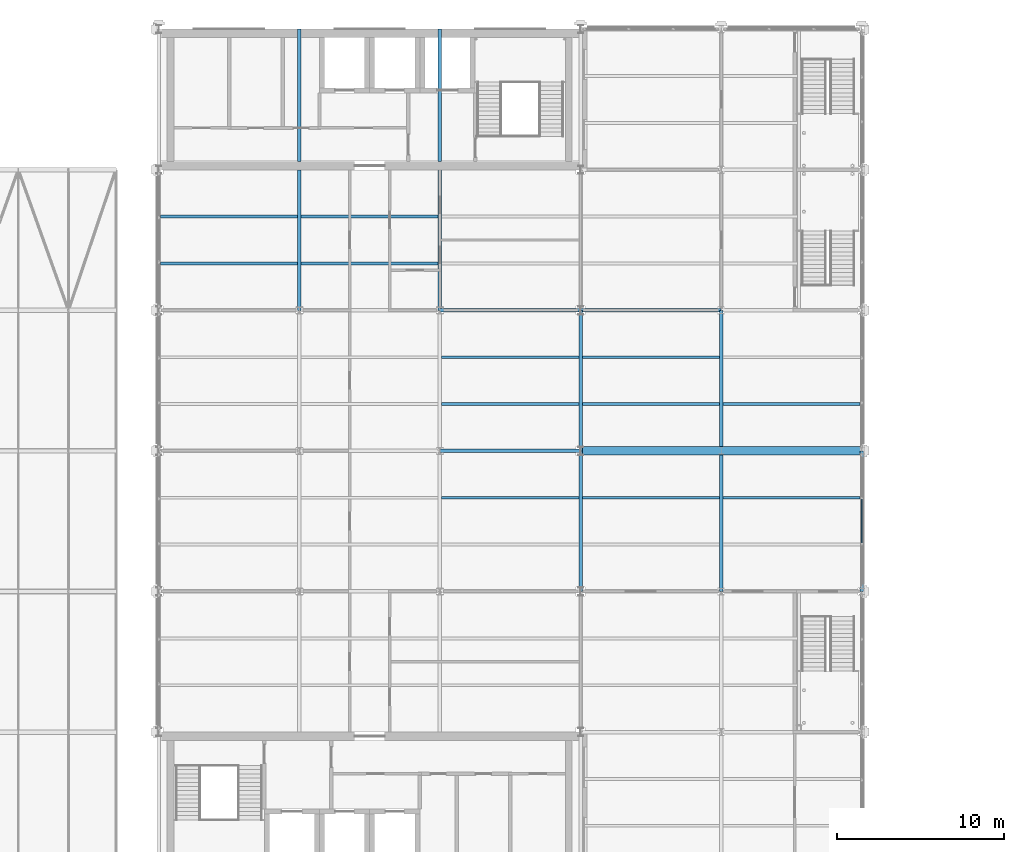
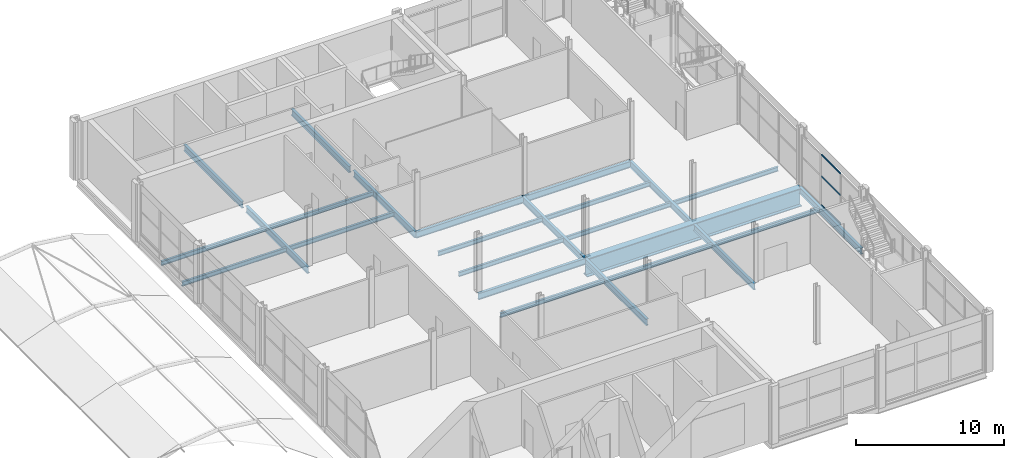
# One storey, part 127 of 167: 25 beams, 3 members, 1 element without a shape of its own.
"""IFC4 building model written with IfcOpenShell, lengths in metres."""

from ifc_helpers import new_model, si_unit, direction, frame, origin, origin_2d, place, context, subcontext, project, spatial, hollow_rectangle, i_section, extrude, material, material_profile, profile_set, type_object, element, aggregate, save


model = new_model("IFC4")

# Units and contexts
model_context = context("Model", 3, precision=1e-05, world=origin(), true_north=direction((0.0, 1.0)))
body_context = subcontext(model_context, "Body", "Model", "MODEL_VIEW")
ifc_project = project(units=[si_unit("LENGTHUNIT", "METRE"), si_unit("AREAUNIT", "SQUARE_METRE"), si_unit("VOLUMEUNIT", "CUBIC_METRE"), si_unit("PLANEANGLEUNIT", "RADIAN"), si_unit("MASSUNIT", "GRAM", prefix="KILO")], contexts=[model_context])

# Site, building, storey
site_placement = place(None, origin())
site = spatial("IfcSite", under=ifc_project, at=site_placement, CompositionType="ELEMENT")
building_placement = place(site_placement, origin())
building = spatial("IfcBuilding", under=site, at=building_placement, Name="Catenary Quay Ferry Terminal", CompositionType="ELEMENT")
storey_placement = place(building_placement, frame((0.0, 0.0, 6.0)))
storey = spatial("IfcBuildingStorey", under=building, at=storey_placement, Name="L01", CompositionType="ELEMENT", Elevation=6.0)

# Beams
ifc_material_1 = material(Name="Steel S355", Category="steel")
ifc_material_profile_1 = material_profile(ifc_material_1, i_section(OverallWidth=0.208740234375, OverallDepth=0.5283203125, WebThickness=0.009521484375, FlangeThickness=0.01318359375, at=origin_2d()), Name="UB 533x210x82")
ifc_profile_set_1 = profile_set([ifc_material_profile_1], Name="Steel S355")
beam_type_1 = type_object("IfcBeamType", Name="B5 UB 533x210x82", PredefinedType="BEAM", material=ifc_profile_set_1)
for number, where, z_axis, x_axis, name in (
    (1, (42.0, 184.800048828125, -0.464111328125), (1.0, 0.0, 0.0), (0.0, 1.0, 0.0), "Beam B5-012"),
    (2, (42.0, 193.199951171875, -0.464111328125), (1.0, 0.0, 0.0), (0.0, 1.0, 0.0), "Beam B5-015"),
):
    element("IfcBeam", number, at=place(storey_placement, frame(where, z_axis=z_axis, x_axis=x_axis)), inside=storey, type_object=beam_type_1, Name=name, PredefinedType="BEAM", context=body_context, shape_type="SweptSolid", body=[
        extrude(i_section(OverallWidth=0.208740234375, OverallDepth=0.5283203125, WebThickness=0.009521484375, FlangeThickness=0.01318359375, at=origin_2d()), origin(), (0.0, 0.0, 1.0), 8.39990234375),
    ])
for number, where, z_axis, x_axis, name in (
    (3, (50.39990234375, 193.199951171875, -0.464111328125), (1.0, 0.0, 0.0), (0.0, 1.0, 0.0), "Beam B5-016"),
    (4, (33.60009765625, 193.199951171875, -0.464111328125), (0.0, 1.0, 0.0), (-1.0, 0.0, 0.0), "Beam B5-031"),
):
    element("IfcBeam", number, at=place(storey_placement, frame(where, z_axis=z_axis, x_axis=x_axis)), inside=storey, type_object=beam_type_1, Name=name, PredefinedType="BEAM", context=body_context, shape_type="SweptSolid", body=[
        extrude(i_section(OverallWidth=0.208740234375, OverallDepth=0.5283203125, WebThickness=0.009521484375, FlangeThickness=0.01318359375, at=origin_2d()), origin(), (0.0, 0.0, 1.0), 8.400146484375),
    ])
beam_1_placement = place(storey_placement, frame((33.60009765625, 202.10009765625, -0.464111328125), z_axis=(0.0, 1.0, 0.0), x_axis=(-1.0, 0.0, 0.0)))
element("IfcBeam", 5, at=beam_1_placement, inside=storey, type_object=beam_type_1, Name="Beam B5-032", PredefinedType="BEAM", context=body_context, shape_type="SweptSolid", body=[
    extrude(i_section(OverallWidth=0.208740234375, OverallDepth=0.5283203125, WebThickness=0.009521484375, FlangeThickness=0.01318359375, at=origin_2d()), origin(), (0.0, 0.0, 1.0), 7.89990234375),
])
beam_2_placement = place(storey_placement, frame((42.0, 193.199951171875, -0.464111328125), z_axis=(0.0, 1.0, 0.0), x_axis=(-1.0, 0.0, 0.0)))
element("IfcBeam", 6, at=beam_2_placement, inside=storey, type_object=beam_type_1, Name="Beam B5-036", PredefinedType="BEAM", context=body_context, shape_type="SweptSolid", body=[
    extrude(i_section(OverallWidth=0.208740234375, OverallDepth=0.5283203125, WebThickness=0.009521484375, FlangeThickness=0.01318359375, at=origin_2d()), origin(), (0.0, 0.0, 1.0), 8.400146484375),
])
beam_3_placement = place(storey_placement, frame((42.0, 202.10009765625, -0.464111328125), z_axis=(0.0, 1.0, 0.0), x_axis=(-1.0, 0.0, 0.0)))
element("IfcBeam", 7, at=beam_3_placement, inside=storey, type_object=beam_type_1, Name="Beam B5-037", PredefinedType="BEAM", context=body_context, shape_type="SweptSolid", body=[
    extrude(i_section(OverallWidth=0.208740234375, OverallDepth=0.5283203125, WebThickness=0.009521484375, FlangeThickness=0.01318359375, at=origin_2d()), origin(), (0.0, 0.0, 1.0), 7.89990234375),
])
beam_4_placement = place(storey_placement, frame((50.39990234375, 176.39990234375, -0.464111328125), z_axis=(0.0, 1.0, 0.0), x_axis=(-1.0, 0.0, 0.0)))
element("IfcBeam", 8, at=beam_4_placement, inside=storey, type_object=beam_type_1, Name="Beam B5-040", PredefinedType="BEAM", context=body_context, shape_type="SweptSolid", body=[
    extrude(i_section(OverallWidth=0.208740234375, OverallDepth=0.5283203125, WebThickness=0.009521484375, FlangeThickness=0.01318359375, at=origin_2d()), origin(), (0.0, 0.0, 1.0), 8.400146484375),
])
beam_5_placement = place(storey_placement, frame((50.39990234375, 184.800048828125, -0.464111328125), z_axis=(0.0, 1.0, 0.0), x_axis=(-1.0, 0.0, 0.0)))
element("IfcBeam", 9, at=beam_5_placement, inside=storey, type_object=beam_type_1, Name="Beam B5-041", PredefinedType="BEAM", context=body_context, shape_type="SweptSolid", body=[
    extrude(i_section(OverallWidth=0.208740234375, OverallDepth=0.5283203125, WebThickness=0.009521484375, FlangeThickness=0.01318359375, at=origin_2d()), origin(), (0.0, 0.0, 1.0), 8.39990234375),
])
beam_6_placement = place(storey_placement, frame((58.800048828125, 176.39990234375, -0.464111328125), z_axis=(0.0, 1.0, 0.0), x_axis=(-1.0, 0.0, 0.0)))
element("IfcBeam", 10, at=beam_6_placement, inside=storey, type_object=beam_type_1, Name="Beam B5-046", PredefinedType="BEAM", context=body_context, shape_type="SweptSolid", body=[
    extrude(i_section(OverallWidth=0.208740234375, OverallDepth=0.5283203125, WebThickness=0.009521484375, FlangeThickness=0.01318359375, at=origin_2d()), origin(), (0.0, 0.0, 1.0), 8.150146484375),
])
beam_7_placement = place(storey_placement, frame((58.800048828125, 185.050048828125, -0.464111328125), z_axis=(0.0, 1.0, 0.0), x_axis=(-1.0, 0.0, 0.0)))
element("IfcBeam", 11, at=beam_7_placement, inside=storey, type_object=beam_type_1, Name="Beam B5-047", PredefinedType="BEAM", context=body_context, shape_type="SweptSolid", body=[
    extrude(i_section(OverallWidth=0.208740234375, OverallDepth=0.5283203125, WebThickness=0.009521484375, FlangeThickness=0.01318359375, at=origin_2d()), origin(), (0.0, 0.0, 1.0), 8.14990234375),
])
beam_8_placement = place(storey_placement, frame((67.199951171875, 176.39990234375, -0.464111328125), z_axis=(0.0, 1.0, 0.0), x_axis=(-1.0, 0.0, 0.0)))
element("IfcBeam", 12, at=beam_8_placement, inside=storey, type_object=beam_type_1, Name="Beam B5-052", PredefinedType="BEAM", context=body_context, shape_type="SweptSolid", body=[
    extrude(i_section(OverallWidth=0.208740234375, OverallDepth=0.5283203125, WebThickness=0.009521484375, FlangeThickness=0.01318359375, at=origin_2d()), origin(), (0.0, 0.0, 1.0), 8.400146484375),
])
ifc_material_2 = material(Name="Steel S355", Category="steel")
ifc_material_profile_2 = material_profile(ifc_material_2, i_section(OverallWidth=0.169921875, OverallDepth=0.360107421875, WebThickness=0.008056640625, FlangeThickness=0.0126953125, at=origin_2d()), Name="IPE 360")
ifc_profile_set_2 = profile_set([ifc_material_profile_2], Name="Steel S355")
beam_type_2 = type_object("IfcBeamType", Name="B7 IPE 360", PredefinedType="BEAM", material=ifc_profile_set_2)
beam_9_placement = place(storey_placement, frame((42.10400390625, 182.0, -0.3798828125), z_axis=(1.0, 0.0, 0.0), x_axis=(0.0, 1.0, 0.0)))
element("IfcBeam", 13, at=beam_9_placement, inside=storey, type_object=beam_type_2, Name="Beam B7-046", PredefinedType="BEAM", context=body_context, shape_type="SweptSolid", body=[
    extrude(i_section(OverallWidth=0.169921875, OverallDepth=0.360107421875, WebThickness=0.008056640625, FlangeThickness=0.0126953125, at=origin_2d()), origin(), (0.0, 0.0, 1.0), 8.19189453125),
])
beam_10_placement = place(storey_placement, frame((50.50390625, 182.0, -0.3798828125), z_axis=(1.0, 0.0, 0.0), x_axis=(0.0, 1.0, 0.0)))
element("IfcBeam", 14, at=beam_10_placement, inside=storey, type_object=beam_type_2, Name="Beam B7-047", PredefinedType="BEAM", context=body_context, shape_type="SweptSolid", body=[
    extrude(i_section(OverallWidth=0.169921875, OverallDepth=0.360107421875, WebThickness=0.008056640625, FlangeThickness=0.0126953125, at=origin_2d()), origin(), (0.0, 0.0, 1.0), 8.192138671875),
])
for number, where, z_axis, x_axis, name in (
    (15, (58.904052734375, 182.0, -0.3798828125), (1.0, 0.0, 0.0), (0.0, 1.0, 0.0), "Beam B7-048"),
    (16, (42.10400390625, 187.60009765625, -0.3798828125), (1.0, 0.0, 0.0), (0.0, 1.0, 0.0), "Beam B7-051"),
):
    element("IfcBeam", number, at=place(storey_placement, frame(where, z_axis=z_axis, x_axis=x_axis)), inside=storey, type_object=beam_type_2, Name=name, PredefinedType="BEAM", context=body_context, shape_type="SweptSolid", body=[
        extrude(i_section(OverallWidth=0.169921875, OverallDepth=0.360107421875, WebThickness=0.008056640625, FlangeThickness=0.0126953125, at=origin_2d()), origin(), (0.0, 0.0, 1.0), 8.19189453125),
    ])
beam_11_placement = place(storey_placement, frame((50.50390625, 187.60009765625, -0.3798828125), z_axis=(1.0, 0.0, 0.0), x_axis=(0.0, 1.0, 0.0)))
element("IfcBeam", 17, at=beam_11_placement, inside=storey, type_object=beam_type_2, Name="Beam B7-052", PredefinedType="BEAM", context=body_context, shape_type="SweptSolid", body=[
    extrude(i_section(OverallWidth=0.169921875, OverallDepth=0.360107421875, WebThickness=0.008056640625, FlangeThickness=0.0126953125, at=origin_2d()), origin(), (0.0, 0.0, 1.0), 8.192138671875),
])
for number, where, z_axis, x_axis, name in (
    (18, (58.904052734375, 187.60009765625, -0.3798828125), (1.0, 0.0, 0.0), (0.0, 1.0, 0.0), "Beam B7-053"),
    (19, (42.10400390625, 190.39990234375, -0.3798828125), (1.0, 0.0, 0.0), (0.0, 1.0, 0.0), "Beam B7-056"),
):
    element("IfcBeam", number, at=place(storey_placement, frame(where, z_axis=z_axis, x_axis=x_axis)), inside=storey, type_object=beam_type_2, Name=name, PredefinedType="BEAM", context=body_context, shape_type="SweptSolid", body=[
        extrude(i_section(OverallWidth=0.169921875, OverallDepth=0.360107421875, WebThickness=0.008056640625, FlangeThickness=0.0126953125, at=origin_2d()), origin(), (0.0, 0.0, 1.0), 8.19189453125),
    ])
for number, where, z_axis, x_axis, name in (
    (20, (50.50390625, 190.39990234375, -0.3798828125), (1.0, 0.0, 0.0), (0.0, 1.0, 0.0), "Beam B7-057"),
    (21, (25.303955078125, 196.0, -0.3798828125), (1.0, 0.0, 0.0), (0.0, 1.0, 0.0), "Beam B7-059"),
):
    element("IfcBeam", number, at=place(storey_placement, frame(where, z_axis=z_axis, x_axis=x_axis)), inside=storey, type_object=beam_type_2, Name=name, PredefinedType="BEAM", context=body_context, shape_type="SweptSolid", body=[
        extrude(i_section(OverallWidth=0.169921875, OverallDepth=0.360107421875, WebThickness=0.008056640625, FlangeThickness=0.0126953125, at=origin_2d()), origin(), (0.0, 0.0, 1.0), 8.192138671875),
    ])
beam_12_placement = place(storey_placement, frame((33.7041015625, 196.0, -0.3798828125), z_axis=(1.0, 0.0, 0.0), x_axis=(0.0, 1.0, 0.0)))
element("IfcBeam", 22, at=beam_12_placement, inside=storey, type_object=beam_type_2, Name="Beam B7-060", PredefinedType="BEAM", context=body_context, shape_type="SweptSolid", body=[
    extrude(i_section(OverallWidth=0.169921875, OverallDepth=0.360107421875, WebThickness=0.008056640625, FlangeThickness=0.0126953125, at=origin_2d()), origin(), (0.0, 0.0, 1.0), 8.19189453125),
])
beam_13_placement = place(storey_placement, frame((25.303955078125, 198.800048828125, -0.3798828125), z_axis=(1.0, 0.0, 0.0), x_axis=(0.0, 1.0, 0.0)))
element("IfcBeam", 23, at=beam_13_placement, inside=storey, type_object=beam_type_2, Name="Beam B7-064", PredefinedType="BEAM", context=body_context, shape_type="SweptSolid", body=[
    extrude(i_section(OverallWidth=0.169921875, OverallDepth=0.360107421875, WebThickness=0.008056640625, FlangeThickness=0.0126953125, at=origin_2d()), origin(), (0.0, 0.0, 1.0), 8.192138671875),
])
beam_14_placement = place(storey_placement, frame((33.7041015625, 198.800048828125, -0.3798828125), z_axis=(1.0, 0.0, 0.0), x_axis=(0.0, 1.0, 0.0)))
element("IfcBeam", 24, at=beam_14_placement, inside=storey, type_object=beam_type_2, Name="Beam B7-065", PredefinedType="BEAM", context=body_context, shape_type="SweptSolid", body=[
    extrude(i_section(OverallWidth=0.169921875, OverallDepth=0.360107421875, WebThickness=0.008056640625, FlangeThickness=0.0126953125, at=origin_2d()), origin(), (0.0, 0.0, 1.0), 8.19189453125),
])
ifc_material_3 = material(Name="Steel S355", Category="steel")
ifc_material_profile_3 = material_profile(ifc_material_3, i_section(OverallWidth=0.5, OverallDepth=1.5, WebThickness=0.030029296875, FlangeThickness=0.06005859375, at=origin_2d()), Name="PG 1500x500x30x60")
ifc_profile_set_3 = profile_set([ifc_material_profile_3], Name="Steel S355")
beam_type_3 = type_object("IfcBeamType", Name="B8 PG 1500x500x30x60", PredefinedType="BEAM", material=ifc_profile_set_3)
beam_15_placement = place(storey_placement, frame((50.39990234375, 184.800048828125, -0.949951171875), z_axis=(1.0, 0.0, 0.0), x_axis=(0.0, 1.0, 0.0)))
element("IfcBeam", 25, at=beam_15_placement, inside=storey, type_object=beam_type_3, Name="Beam TG1-001", PredefinedType="BEAM", context=body_context, shape_type="SweptSolid", body=[
    extrude(i_section(OverallWidth=0.5, OverallDepth=1.5, WebThickness=0.030029296875, FlangeThickness=0.06005859375, at=origin_2d()), origin(), (0.0, 0.0, 1.0), 16.800048828125),
])

# Curtain wall, members
ifc_material_4 = material(Name="Aluminium and glass", Category="aluminium")
curtain_wall_type = type_object("IfcCurtainWallType", Name="CWW2", PredefinedType="NOTDEFINED", material=ifc_material_4)
curtain_wall_placement = place(storey_placement, origin())
curtain_wall = element("IfcCurtainWall", 26, at=curtain_wall_placement, inside=storey, type_object=curtain_wall_type, Name="Wing curtain wall CW118", PredefinedType="NOTDEFINED")
ifc_material_5 = material(Name="Aluminium", Category="aluminium")
ifc_material_profile_4 = material_profile(ifc_material_5, hollow_rectangle(XDim=0.06005859375, YDim=0.1201171875, WallThickness=0.0048828125, at=origin_2d()), Name="TR3")
ifc_profile_set_4 = profile_set([ifc_material_profile_4], Name="Aluminium")
member_type = type_object("IfcMemberType", Name="TR3", PredefinedType="USERDEFINED", material=ifc_profile_set_4)
member_1_placement = place(storey_placement, frame((67.199951171875, 179.3017578125, 0.030029296875), z_axis=(0.0, 1.0, 0.0), x_axis=(-1.0, 0.0, 0.0)))
member_1 = element("IfcMember", 27, at=member_1_placement, type_object=member_type, Name="CW118 transom 2.1", ObjectType="TRANSOM", PredefinedType="USERDEFINED", context=body_context, shape_type="SweptSolid", body=[
    extrude(hollow_rectangle(XDim=0.06005859375, YDim=0.1201171875, WallThickness=0.0048828125, at=origin_2d()), origin(), (0.0, 0.0, 1.0), 2.5966796875),
])
member_2_placement = place(storey_placement, frame((67.199951171875, 179.3017578125, 2.39990234375), z_axis=(0.0, 1.0, 0.0), x_axis=(-1.0, 0.0, 0.0)))
member_2 = element("IfcMember", 28, at=member_2_placement, type_object=member_type, Name="CW118 transom 2.2", ObjectType="TRANSOM", PredefinedType="USERDEFINED", context=body_context, shape_type="SweptSolid", body=[
    extrude(hollow_rectangle(XDim=0.06005859375, YDim=0.1201171875, WallThickness=0.0048828125, at=origin_2d()), origin(), (0.0, 0.0, 1.0), 2.5966796875),
])
member_3_placement = place(storey_placement, frame((67.199951171875, 179.3017578125, 4.169921875), z_axis=(0.0, 1.0, 0.0), x_axis=(-1.0, 0.0, 0.0)))
member_3 = element("IfcMember", 29, at=member_3_placement, type_object=member_type, Name="CW118 transom 2.3", ObjectType="TRANSOM", PredefinedType="USERDEFINED", context=body_context, shape_type="SweptSolid", body=[
    extrude(hollow_rectangle(XDim=0.06005859375, YDim=0.1201171875, WallThickness=0.0048828125, at=origin_2d()), origin(), (0.0, 0.0, 1.0), 2.5966796875),
])
aggregate(curtain_wall, [member_1, member_2, member_3])

save(model, "model.ifc")
